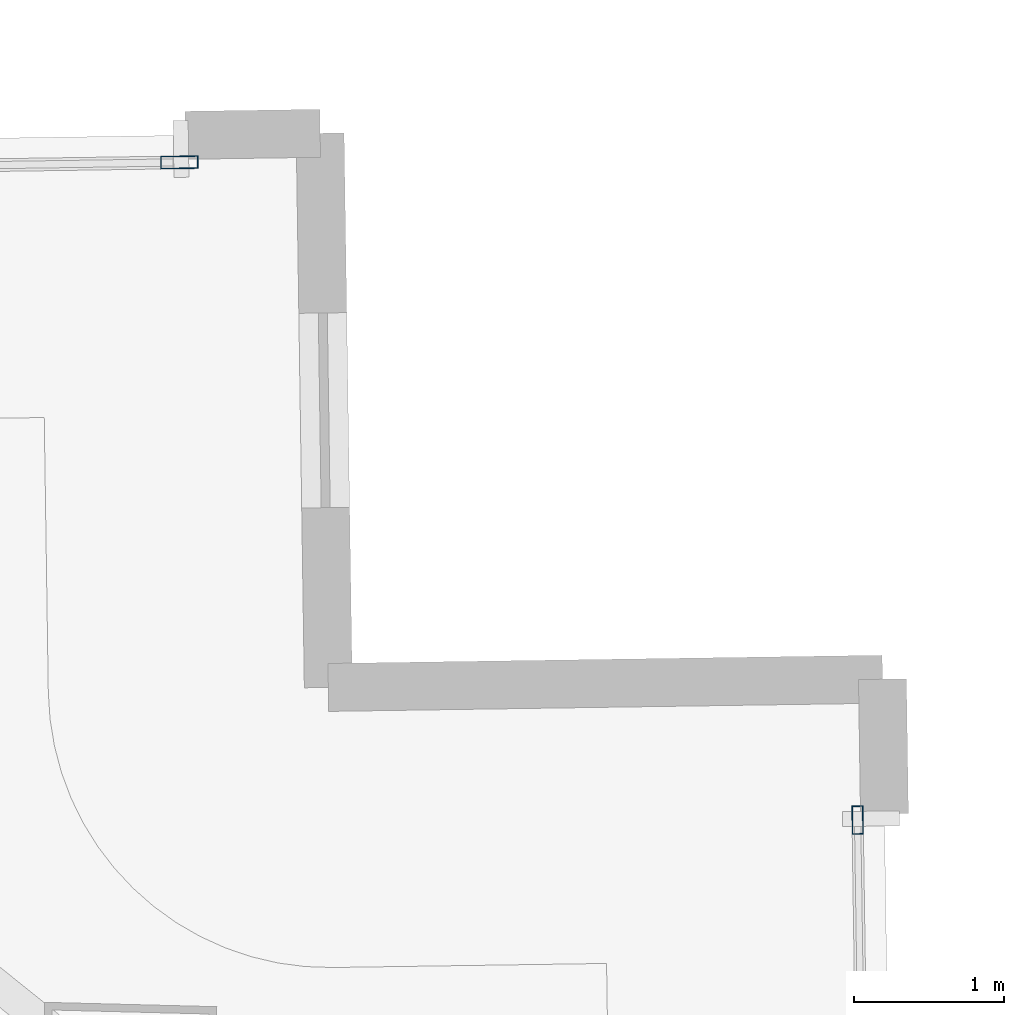
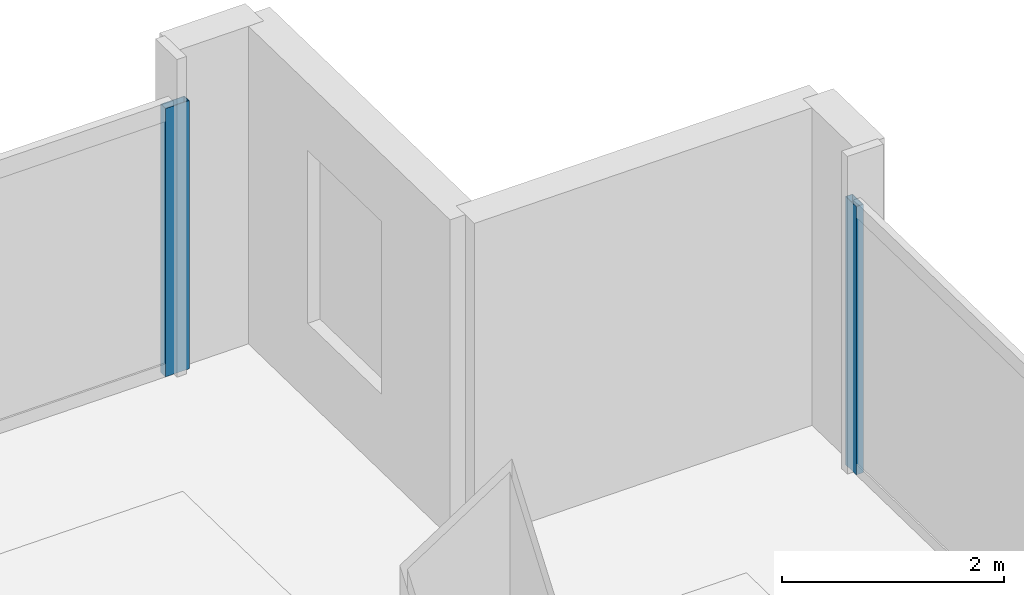
# One storey, part 18 of 25: 2 members, 2 elements without a shape of their own.
"""IFC4 building model written with IfcOpenShell, lengths in metres."""

from ifc_helpers import new_model, si_unit, direction, frame, origin, origin_2d, place, context, subcontext, project, spatial, hollow_rectangle, extrude, material, material_profile, profile_set, type_object, element, aggregate, save


model = new_model("IFC4")

# Units and contexts
model_context = context("Model", 3, precision=1e-05, world=origin(), true_north=direction((0.0, 1.0)))
body_context = subcontext(model_context, "Body", "Model", "MODEL_VIEW")
ifc_project = project(units=[si_unit("LENGTHUNIT", "METRE"), si_unit("AREAUNIT", "SQUARE_METRE"), si_unit("VOLUMEUNIT", "CUBIC_METRE"), si_unit("PLANEANGLEUNIT", "RADIAN"), si_unit("MASSUNIT", "GRAM", prefix="KILO")], contexts=[model_context])

# Site, building, storey
site_placement = place(None, origin())
site = spatial("IfcSite", under=ifc_project, at=site_placement, CompositionType="ELEMENT")
building_placement = place(site_placement, origin())
building = spatial("IfcBuilding", under=site, at=building_placement, Name="Haldenkirk Collegiate Tower", CompositionType="ELEMENT")
storey_placement = place(building_placement, frame((0.0, 0.0, 332.699951171875)))
storey = spatial("IfcBuildingStorey", under=building, at=storey_placement, Name="L84", CompositionType="ELEMENT", Elevation=332.699951171875)

# Curtain wall, member
ifc_material = material(Name="Anodised architectural bronze aluminium", Category="aluminium")
curtain_wall_type_1 = type_object("IfcCurtainWallType", Name="CW-SYS2-CONCAVE", PredefinedType="USERDEFINED", material=ifc_material)
curtain_wall_1_placement = place(storey_placement, origin())
curtain_wall_1 = element("IfcCurtainWall", 1, at=curtain_wall_1_placement, inside=storey, type_object=curtain_wall_type_1, Name="L84 South concave recessed bronze-anodised curtain wall", ObjectType="UNITISED CURTAIN WALL", PredefinedType="USERDEFINED")
ifc_material_profile_1 = material_profile(ifc_material, hollow_rectangle(XDim=0.074951171875, YDim=0.18994140625, WallThickness=0.0048828125, at=origin_2d()), Name="CW-MUL-02")
ifc_profile_set_1 = profile_set([ifc_material_profile_1], Name="Anodised architectural bronze aluminium")
member_type_1 = type_object("IfcMemberType", Name="CW-MUL-02", PredefinedType="MULLION", material=ifc_profile_set_1)
member_1_placement = place(storey_placement, frame((57.681396484375, 43.93603515625, 0.0), z_axis=(0.0, 0.0, 1.0), x_axis=(0.99988998696, 0.014832868138, 0.0)))
member_1 = element("IfcMember", 2, at=member_1_placement, type_object=member_type_1, Name="CW-02 mullion 1", PredefinedType="MULLION", context=body_context, shape_type="SweptSolid", body=[
    extrude(hollow_rectangle(XDim=0.074951171875, YDim=0.18994140625, WallThickness=0.0048828125, at=origin_2d()), origin(), (0.0, 0.0, 1.0), 2.947998046875),
])
aggregate(curtain_wall_1, [member_1])

curtain_wall_type_2 = type_object("IfcCurtainWallType", Name="CW-SYS1B-CONVEX-HI", PredefinedType="USERDEFINED", material=ifc_material)
curtain_wall_2_placement = place(storey_placement, origin())
curtain_wall_2 = element("IfcCurtainWall", 3, at=curtain_wall_2_placement, inside=storey, type_object=curtain_wall_type_2, Name="L84 Upper tower high-wind convex bronze unitised curtain wall", ObjectType="UNITISED CURTAIN WALL", PredefinedType="USERDEFINED")
ifc_material_profile_2 = material_profile(ifc_material, hollow_rectangle(XDim=0.0849609375, YDim=0.25, WallThickness=0.0048828125, at=origin_2d()), Name="CW-MUL-1B")
ifc_profile_set_2 = profile_set([ifc_material_profile_2], Name="Anodised architectural bronze aluminium")
member_type_2 = type_object("IfcMemberType", Name="CW-MUL-1B", PredefinedType="MULLION", material=ifc_profile_set_2)
member_2_placement = place(storey_placement, frame((53.1533203125, 48.326904296875, 0.0), z_axis=(0.0, 0.0, 1.0), x_axis=(-0.014832959269, 0.999889985608, 0.0)))
member_2 = element("IfcMember", 4, at=member_2_placement, type_object=member_type_2, Name="CW-1B mullion 4", PredefinedType="MULLION", context=body_context, shape_type="SweptSolid", body=[
    extrude(hollow_rectangle(XDim=0.0849609375, YDim=0.25, WallThickness=0.0048828125, at=origin_2d()), origin(), (0.0, 0.0, 1.0), 2.947998046875),
])
aggregate(curtain_wall_2, [member_2])

save(model, "model.ifc")
